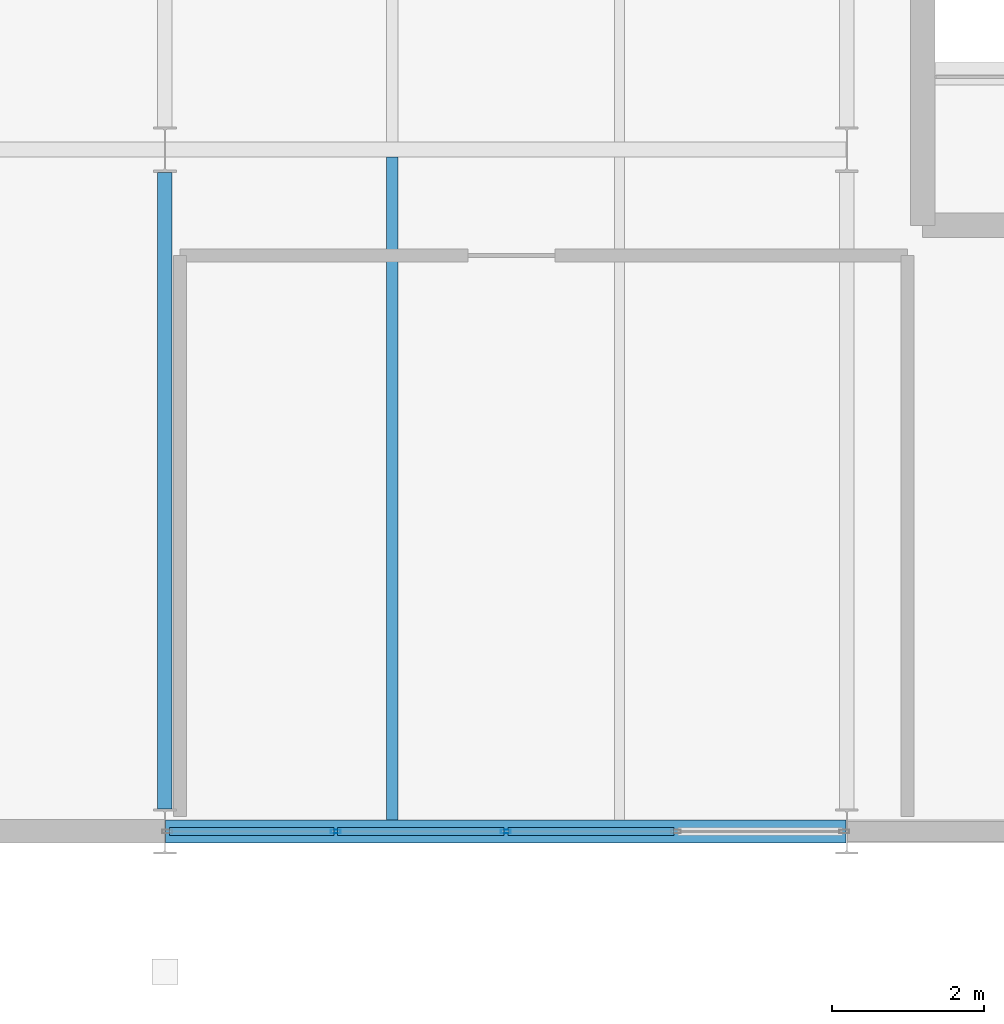
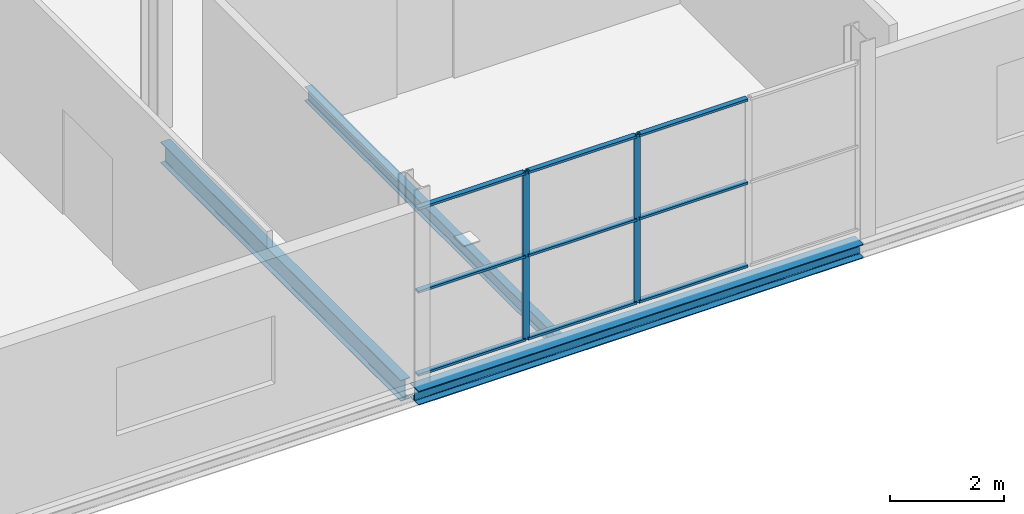
# One storey, part 13 of 44: 11 members, 3 beams, 1 element without a shape of its own.
"""IFC4 building model written with IfcOpenShell, lengths in metres."""

from ifc_helpers import new_model, si_unit, direction, frame, origin, origin_2d, place, context, subcontext, project, spatial, hollow_rectangle, i_section, extrude, material, layer, layer_set, material_profile, profile_set, type_object, element, aggregate, save


model = new_model("IFC4")

# Units and contexts
model_context = context("Model", 3, precision=1e-05, world=origin(), true_north=direction((0.0, 1.0)))
body_context = subcontext(model_context, "Body", "Model", "MODEL_VIEW")
ifc_project = project(units=[si_unit("LENGTHUNIT", "METRE"), si_unit("AREAUNIT", "SQUARE_METRE"), si_unit("VOLUMEUNIT", "CUBIC_METRE"), si_unit("PLANEANGLEUNIT", "RADIAN"), si_unit("MASSUNIT", "GRAM", prefix="KILO")], contexts=[model_context])

# Site, building, storey
site_placement = place(None, origin())
site = spatial("IfcSite", under=ifc_project, at=site_placement, CompositionType="ELEMENT")
building_placement = place(site_placement, origin())
building = spatial("IfcBuilding", under=site, at=building_placement, Name="Deido Ridge Mobility Hub", CompositionType="ELEMENT")
storey_placement = place(building_placement, frame((0.0, 0.0, 25.199951171875)))
storey = spatial("IfcBuildingStorey", under=building, at=storey_placement, Name="L06", CompositionType="ELEMENT", Elevation=25.199951171875)

# Beams
ifc_material_1 = material(Name="Steel S355J2 EN 10025-2", Category="steel")
ifc_material_profile_1 = material_profile(ifc_material_1, i_section(OverallWidth=0.18994140625, OverallDepth=0.449951171875, WebThickness=0.009521484375, FlangeThickness=0.0146484375, FilletRadius=0.02099609375, at=origin_2d()), Name="IPE 450")
ifc_profile_set_1 = profile_set([ifc_material_profile_1], Name="Steel S355J2 EN 10025-2")
beam_type_1 = type_object("IfcBeamType", Name="BM-IPE450", PredefinedType="BEAM", material=ifc_profile_set_1)
beam_1_placement = place(storey_placement, frame((153.0, 0.300048828125, -0.46484375), z_axis=(0.0, 1.0, 0.0), x_axis=(-1.0, 0.0, 0.0)))
element("IfcBeam", 1, at=beam_1_placement, inside=storey, type_object=beam_type_1, Name="Floor beam B4", PredefinedType="BEAM", context=body_context, shape_type="SweptSolid", body=[
    extrude(i_section(OverallWidth=0.18994140625, OverallDepth=0.449951171875, WebThickness=0.009521484375, FlangeThickness=0.0146484375, FilletRadius=0.02099609375, at=origin_2d()), origin(), (0.0, 0.0, 1.0), 8.39990234375),
])
ifc_material_profile_2 = material_profile(ifc_material_1, i_section(OverallWidth=0.14990234375, OverallDepth=0.300048828125, WebThickness=0.007080078125, FlangeThickness=0.0107421875, FilletRadius=0.014892578125, at=origin_2d()), Name="IPE 300")
ifc_profile_set_2 = profile_set([ifc_material_profile_2], Name="Steel S355J2 EN 10025-2")
beam_type_2 = type_object("IfcBeamType", Name="JST-IPE300", PredefinedType="JOIST", material=ifc_profile_set_2)
beam_2_placement = place(storey_placement, frame((156.0, 0.14990234375, -0.389892578125), z_axis=(0.0, 1.0, 0.0), x_axis=(-1.0, 0.0, 0.0)))
element("IfcBeam", 2, at=beam_2_placement, inside=storey, type_object=beam_type_2, Name="Composite joist J3", PredefinedType="JOIST", context=body_context, shape_type="SweptSolid", body=[
    extrude(i_section(OverallWidth=0.14990234375, OverallDepth=0.300048828125, WebThickness=0.007080078125, FlangeThickness=0.0107421875, FilletRadius=0.014892578125, at=origin_2d()), origin(), (0.0, 0.0, 1.0), 8.75),
])

# Curtain wall, members
ifc_material_2 = material(Name="Anodised aluminium EN AW-6063 T6", Category="aluminium")
ifc_layer = layer(ifc_material_2, 0.1650390625, Name="Anodised aluminium EN AW-6063 T6")
ifc_layer_set = layer_set([ifc_layer], Name="Anodised aluminium EN AW-6063 T6")
curtain_wall_type = type_object("IfcCurtainWallType", Name="CW-UF-1", PredefinedType="USERDEFINED", material=ifc_layer_set)
curtain_wall_placement = place(storey_placement, origin())
curtain_wall = element("IfcCurtainWall", 3, at=curtain_wall_placement, inside=storey, type_object=curtain_wall_type, Name="Unitised curtain wall CW1", ObjectType="UNITISED FACADE", PredefinedType="USERDEFINED")
ifc_material_profile_3 = material_profile(ifc_material_2, hollow_rectangle(XDim=0.050048828125, YDim=0.1298828125, WallThickness=0.00390625, at=origin_2d()), Name="RHS 50x130x4")
ifc_profile_set_3 = profile_set([ifc_material_profile_3], Name="Anodised aluminium EN AW-6063 T6")
member_type_1 = type_object("IfcMemberType", Name="MEM-MUL-50X130", PredefinedType="MULLION", material=ifc_profile_set_3)
member_1_placement = place(storey_placement, frame((155.25390625, 0.0, 0.0), z_axis=(0.0, 0.0, 1.0), x_axis=(0.0, 1.0, 0.0)))
member_1 = element("IfcMember", 4, at=member_1_placement, type_object=member_type_1, Name="CW1 mullion 2", PredefinedType="MULLION", context=body_context, shape_type="SweptSolid", body=[
    extrude(hollow_rectangle(XDim=0.050048828125, YDim=0.1298828125, WallThickness=0.00390625, at=origin_2d()), origin(), (0.0, 0.0, 1.0), 3.60009765625),
])
member_2_placement = place(storey_placement, frame((157.5, 0.0, 0.0), z_axis=(0.0, 0.0, 1.0), x_axis=(0.0, 1.0, 0.0)))
member_2 = element("IfcMember", 5, at=member_2_placement, type_object=member_type_1, Name="CW1 mullion 3", PredefinedType="MULLION", context=body_context, shape_type="SweptSolid", body=[
    extrude(hollow_rectangle(XDim=0.050048828125, YDim=0.1298828125, WallThickness=0.00390625, at=origin_2d()), origin(), (0.0, 0.0, 1.0), 3.60009765625),
])
ifc_material_profile_4 = material_profile(ifc_material_2, hollow_rectangle(XDim=0.10498046875, YDim=0.050048828125, WallThickness=0.00390625, at=origin_2d()), Name="RHS 105x50x4")
ifc_profile_set_4 = profile_set([ifc_material_profile_4], Name="Anodised aluminium EN AW-6063 T6")
member_type_2 = type_object("IfcMemberType", Name="MEM-TRN-105X50", PredefinedType="USERDEFINED", material=ifc_profile_set_4)
member_3_placement = place(storey_placement, frame((153.0576171875, 0.0, 0.025146484375), z_axis=(1.0, 0.0, 0.0), x_axis=(0.0, 1.0, 0.0)))
member_3 = element("IfcMember", 6, at=member_3_placement, type_object=member_type_2, Name="CW1 transom 1.1", ObjectType="TRANSOM", PredefinedType="USERDEFINED", context=body_context, shape_type="SweptSolid", body=[
    extrude(hollow_rectangle(XDim=0.10498046875, YDim=0.050048828125, WallThickness=0.00390625, at=origin_2d()), origin(), (0.0, 0.0, 1.0), 2.171142578125),
])
member_4_placement = place(storey_placement, frame((153.0576171875, 0.0, 1.800048828125), z_axis=(1.0, 0.0, 0.0), x_axis=(0.0, 1.0, 0.0)))
member_4 = element("IfcMember", 7, at=member_4_placement, type_object=member_type_2, Name="CW1 transom 1.2", ObjectType="TRANSOM", PredefinedType="USERDEFINED", context=body_context, shape_type="SweptSolid", body=[
    extrude(hollow_rectangle(XDim=0.10498046875, YDim=0.050048828125, WallThickness=0.00390625, at=origin_2d()), origin(), (0.0, 0.0, 1.0), 2.171142578125),
])
member_5_placement = place(storey_placement, frame((153.0576171875, 0.0, 3.574951171875), z_axis=(1.0, 0.0, 0.0), x_axis=(0.0, 1.0, 0.0)))
member_5 = element("IfcMember", 8, at=member_5_placement, type_object=member_type_2, Name="CW1 transom 1.3", ObjectType="TRANSOM", PredefinedType="USERDEFINED", context=body_context, shape_type="SweptSolid", body=[
    extrude(hollow_rectangle(XDim=0.10498046875, YDim=0.050048828125, WallThickness=0.00390625, at=origin_2d()), origin(), (0.0, 0.0, 1.0), 2.171142578125),
])
member_6_placement = place(storey_placement, frame((155.27880859375, 0.0, 0.025146484375), z_axis=(1.0, 0.0, 0.0), x_axis=(0.0, 1.0, 0.0)))
member_6 = element("IfcMember", 9, at=member_6_placement, type_object=member_type_2, Name="CW1 transom 2.1", ObjectType="TRANSOM", PredefinedType="USERDEFINED", context=body_context, shape_type="SweptSolid", body=[
    extrude(hollow_rectangle(XDim=0.10498046875, YDim=0.050048828125, WallThickness=0.00390625, at=origin_2d()), origin(), (0.0, 0.0, 1.0), 2.1962890625),
])
member_7_placement = place(storey_placement, frame((155.27880859375, 0.0, 1.800048828125), z_axis=(1.0, 0.0, 0.0), x_axis=(0.0, 1.0, 0.0)))
member_7 = element("IfcMember", 10, at=member_7_placement, type_object=member_type_2, Name="CW1 transom 2.2", ObjectType="TRANSOM", PredefinedType="USERDEFINED", context=body_context, shape_type="SweptSolid", body=[
    extrude(hollow_rectangle(XDim=0.10498046875, YDim=0.050048828125, WallThickness=0.00390625, at=origin_2d()), origin(), (0.0, 0.0, 1.0), 2.1962890625),
])
member_8_placement = place(storey_placement, frame((155.27880859375, 0.0, 3.574951171875), z_axis=(1.0, 0.0, 0.0), x_axis=(0.0, 1.0, 0.0)))
member_8 = element("IfcMember", 11, at=member_8_placement, type_object=member_type_2, Name="CW1 transom 2.3", ObjectType="TRANSOM", PredefinedType="USERDEFINED", context=body_context, shape_type="SweptSolid", body=[
    extrude(hollow_rectangle(XDim=0.10498046875, YDim=0.050048828125, WallThickness=0.00390625, at=origin_2d()), origin(), (0.0, 0.0, 1.0), 2.1962890625),
])
member_9_placement = place(storey_placement, frame((157.52490234375, 0.0, 0.025146484375), z_axis=(1.0, 0.0, 0.0), x_axis=(0.0, 1.0, 0.0)))
member_9 = element("IfcMember", 12, at=member_9_placement, type_object=member_type_2, Name="CW1 transom 3.1", ObjectType="TRANSOM", PredefinedType="USERDEFINED", context=body_context, shape_type="SweptSolid", body=[
    extrude(hollow_rectangle(XDim=0.10498046875, YDim=0.050048828125, WallThickness=0.00390625, at=origin_2d()), origin(), (0.0, 0.0, 1.0), 2.1962890625),
])
member_10_placement = place(storey_placement, frame((157.52490234375, 0.0, 1.800048828125), z_axis=(1.0, 0.0, 0.0), x_axis=(0.0, 1.0, 0.0)))
member_10 = element("IfcMember", 13, at=member_10_placement, type_object=member_type_2, Name="CW1 transom 3.2", ObjectType="TRANSOM", PredefinedType="USERDEFINED", context=body_context, shape_type="SweptSolid", body=[
    extrude(hollow_rectangle(XDim=0.10498046875, YDim=0.050048828125, WallThickness=0.00390625, at=origin_2d()), origin(), (0.0, 0.0, 1.0), 2.1962890625),
])
member_11_placement = place(storey_placement, frame((157.52490234375, 0.0, 3.574951171875), z_axis=(1.0, 0.0, 0.0), x_axis=(0.0, 1.0, 0.0)))
member_11 = element("IfcMember", 14, at=member_11_placement, type_object=member_type_2, Name="CW1 transom 3.3", ObjectType="TRANSOM", PredefinedType="USERDEFINED", context=body_context, shape_type="SweptSolid", body=[
    extrude(hollow_rectangle(XDim=0.10498046875, YDim=0.050048828125, WallThickness=0.00390625, at=origin_2d()), origin(), (0.0, 0.0, 1.0), 2.1962890625),
])
aggregate(curtain_wall, [member_1, member_2, member_3, member_4, member_5, member_6, member_7, member_8, member_9, member_10, member_11])

# Beam
ifc_material_profile_5 = material_profile(ifc_material_1, i_section(OverallWidth=0.300048828125, OverallDepth=0.300048828125, WebThickness=0.010986328125, FlangeThickness=0.01904296875, FilletRadius=0.027099609375, at=origin_2d()), Name="HEB 300")
ifc_profile_set_5 = profile_set([ifc_material_profile_5], Name="Steel S355J2 EN 10025-2")
beam_type_3 = type_object("IfcBeamType", Name="SPD-HEB300", PredefinedType="SPANDREL", material=ifc_profile_set_5)
beam_3_placement = place(storey_placement, frame((153.0078125, 0.0, -0.389892578125), z_axis=(1.0, 0.0, 0.0), x_axis=(0.0, 1.0, 0.0)))
element("IfcBeam", 15, at=beam_3_placement, inside=storey, type_object=beam_type_3, Name="Floor beam SP1", PredefinedType="SPANDREL", context=body_context, shape_type="SweptSolid", body=[
    extrude(i_section(OverallWidth=0.300048828125, OverallDepth=0.300048828125, WebThickness=0.010986328125, FlangeThickness=0.01904296875, FilletRadius=0.027099609375, at=origin_2d()), origin(), (0.0, 0.0, 1.0), 8.984375),
])

save(model, "model.ifc")
